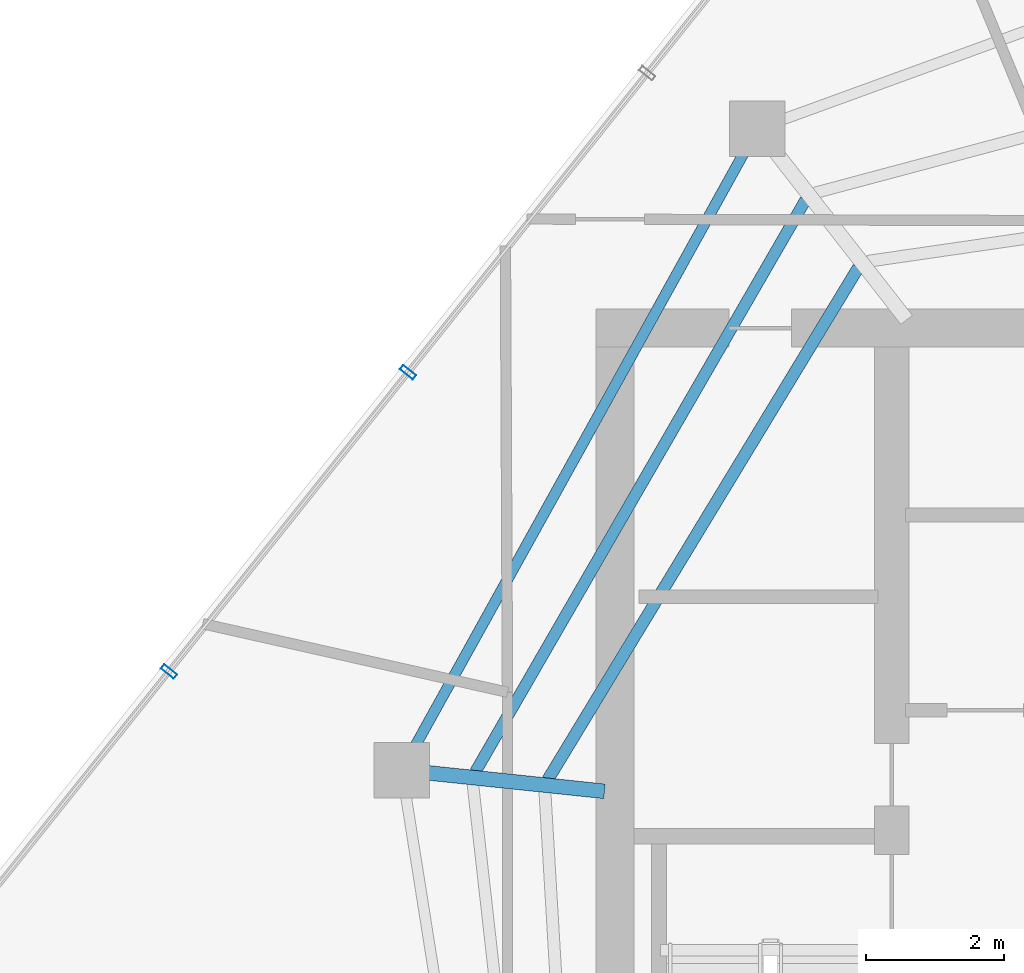
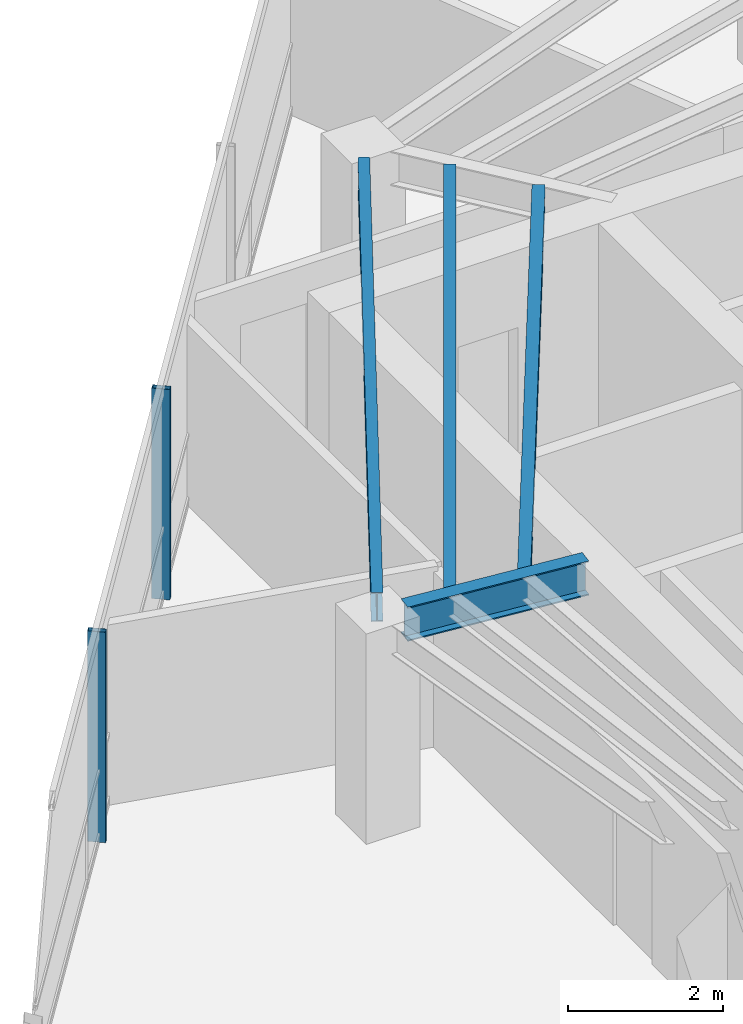
# One storey, part 6 of 19: 4 beams, 2 members, 1 element without a shape of its own.
"""IFC4 building model written with IfcOpenShell, lengths in metres."""

from ifc_helpers import new_model, si_unit, direction, frame, origin, origin_2d, place, context, subcontext, project, spatial, hollow_rectangle, i_section, extrude, material, layer, layer_set, material_profile, profile_set, type_object, element, aggregate, save


model = new_model("IFC4")

# Units and contexts
model_context = context("Model", 3, precision=1e-05, world=origin(), true_north=direction((0.0, 1.0)))
body_context = subcontext(model_context, "Body", "Model", "MODEL_VIEW")
ifc_project = project(units=[si_unit("LENGTHUNIT", "METRE"), si_unit("AREAUNIT", "SQUARE_METRE"), si_unit("VOLUMEUNIT", "CUBIC_METRE"), si_unit("PLANEANGLEUNIT", "RADIAN"), si_unit("MASSUNIT", "GRAM", prefix="KILO")], contexts=[model_context])

# Site, building, storey
site_placement = place(None, origin())
site = spatial("IfcSite", under=ifc_project, at=site_placement, CompositionType="ELEMENT")
building_placement = place(site_placement, origin())
building = spatial("IfcBuilding", under=site, at=building_placement, Name="Qarnah Convention Tower", CompositionType="ELEMENT")
storey_placement = place(building_placement, frame((0.0, 0.0, 260.699951171875)))
storey = spatial("IfcBuildingStorey", under=building, at=storey_placement, Name="L70", CompositionType="ELEMENT", Elevation=260.699951171875)

# Beams
ifc_material_1 = material(Name="Structural steel S355JR", Category="steel")
ifc_material_profile_1 = material_profile(ifc_material_1, i_section(OverallWidth=0.166015625, OverallDepth=0.31201171875, WebThickness=0.007080078125, FlangeThickness=0.010986328125, at=origin_2d()), Name="W310X45")
ifc_profile_set_1 = profile_set([ifc_material_profile_1], Name="Structural steel S355JR")
beam_type_1 = type_object("IfcBeamType", Name="BM-JST-W310", PredefinedType="JOIST", material=ifc_profile_set_1)
beam_1_placement = place(storey_placement, frame((29.554931640625, 36.050048828125, 3.1640625), z_axis=(-0.500030323517, -0.866007895786, 0.0), x_axis=(0.866007895786, -0.500030323517, 0.0)))
element("IfcBeam", 1, at=beam_1_placement, inside=storey, type_object=beam_type_1, Name="L70 joist BM-L70-SJST-04", PredefinedType="JOIST", context=body_context, shape_type="SweptSolid", body=[
    extrude(i_section(OverallWidth=0.166015625, OverallDepth=0.31201171875, WebThickness=0.007080078125, FlangeThickness=0.010986328125, at=origin_2d()), origin(), (0.0, 0.0, 1.0), 9.54150390625),
])
ifc_material_profile_2 = material_profile(ifc_material_1, i_section(OverallWidth=0.172119140625, OverallDepth=0.35595703125, WebThickness=0.007080078125, FlangeThickness=0.011962890625, at=origin_2d()), Name="W360X51")
ifc_profile_set_2 = profile_set([ifc_material_profile_2], Name="Structural steel S355JR")
beam_type_2 = type_object("IfcBeamType", Name="BM-JST-W360", PredefinedType="JOIST", material=ifc_profile_set_2)
beam_2_placement = place(storey_placement, frame((30.31689453125, 35.072998046875, 3.14208984375), z_axis=(-0.518508134219, -0.855072695593, 0.0), x_axis=(0.855072695593, -0.518508134219, 0.0)))
element("IfcBeam", 2, at=beam_2_placement, inside=storey, type_object=beam_type_2, Name="L70 joist BM-L70-IJST-04", PredefinedType="JOIST", context=body_context, shape_type="SweptSolid", body=[
    extrude(i_section(OverallWidth=0.172119140625, OverallDepth=0.35595703125, WebThickness=0.007080078125, FlangeThickness=0.011962890625, at=origin_2d()), origin(), (0.0, 0.0, 1.0), 8.649658203125),
])
ifc_material_profile_3 = material_profile(ifc_material_1, i_section(OverallWidth=0.2119140625, OverallDepth=0.5400390625, WebThickness=0.011962890625, FlangeThickness=0.01904296875, at=origin_2d()), Name="W530X109")
ifc_profile_set_3 = profile_set([ifc_material_profile_3], Name="Structural steel S355JR")
beam_type_3 = type_object("IfcBeamType", Name="BM-RAD-W530A", PredefinedType="BEAM", material=ifc_profile_set_3)
beam_3_placement = place(storey_placement, frame((26.65087890625, 27.509033203125, 3.050048828125), z_axis=(-0.994564280912, 0.104124402207, 0.0), x_axis=(-0.104124402207, -0.994564280912, 0.0)))
element("IfcBeam", 3, at=beam_3_placement, inside=storey, type_object=beam_type_3, Name="L70 beam BM-L70-RAD-05", PredefinedType="BEAM", context=body_context, shape_type="SweptSolid", body=[
    extrude(i_section(OverallWidth=0.2119140625, OverallDepth=0.5400390625, WebThickness=0.011962890625, FlangeThickness=0.01904296875, at=origin_2d()), origin(), (0.0, 0.0, 1.0), 2.562744140625),
])
ifc_material_profile_4 = material_profile(ifc_material_1, i_section(OverallWidth=0.154052734375, OverallDepth=0.4599609375, WebThickness=0.009033203125, FlangeThickness=0.014892578125, at=origin_2d()), Name="W460X68")
ifc_profile_set_4 = profile_set([ifc_material_profile_4], Name="Structural steel S355JR")
beam_type_4 = type_object("IfcBeamType", Name="BM-SPN-W460B", PredefinedType="SPANDREL", material=ifc_profile_set_4)
beam_4_placement = place(storey_placement, frame((28.6689453125, 36.737060546875, 3.090087890625), z_axis=(-0.48479748752, -0.87462643231, 0.0), x_axis=(0.87462643231, -0.48479748752, 0.0)))
element("IfcBeam", 4, at=beam_4_placement, inside=storey, type_object=beam_type_4, Name="L70 spandrel BM-L70-SPN-04", PredefinedType="SPANDREL", context=body_context, shape_type="SweptSolid", body=[
    extrude(i_section(OverallWidth=0.154052734375, OverallDepth=0.4599609375, WebThickness=0.009033203125, FlangeThickness=0.014892578125, at=origin_2d()), origin(), (0.0, 0.0, 1.0), 9.81005859375),
])

# Curtain wall, members
ifc_material_2 = material(Name="Tempered Low-E dark glass", Category="glass")
ifc_layer = layer(ifc_material_2, 0.176025390625)
ifc_layer_set = layer_set([ifc_layer], Name="Tempered Low-E dark glass")
curtain_wall_type = type_object("IfcCurtainWallType", Name="CWS-05", PredefinedType="NOTDEFINED", material=ifc_layer_set)
curtain_wall_placement = place(storey_placement, origin())
curtain_wall = element("IfcCurtainWall", 5, at=curtain_wall_placement, inside=storey, type_object=curtain_wall_type, Name="L70 unitised curtain wall CW-L70-F3", PredefinedType="NOTDEFINED")
ifc_material_3 = material(Name="Black anodised aluminium", Category="aluminium")
ifc_material_profile_5 = material_profile(ifc_material_3, hollow_rectangle(XDim=0.080078125, YDim=0.239990234375, WallThickness=0.0048828125, at=origin_2d()), Name="MUL-80X240")
ifc_profile_set_5 = profile_set([ifc_material_profile_5], Name="Black anodised aluminium")
member_type = type_object("IfcMemberType", Name="MUL-T5", PredefinedType="MULLION", material=ifc_profile_set_5)
member_1_placement = place(storey_placement, frame((20.358642578125, 29.23828125, 0.0), z_axis=(0.0, 0.0, 1.0), x_axis=(0.624417264657, 0.781090954754, 0.0)))
member_1 = element("IfcMember", 6, at=member_1_placement, type_object=member_type, Name="CW-L70-F3 mullion 2", PredefinedType="MULLION", context=body_context, shape_type="SweptSolid", body=[
    extrude(hollow_rectangle(XDim=0.080078125, YDim=0.239990234375, WallThickness=0.0048828125, at=origin_2d()), origin(), (0.0, 0.0, 1.0), 3.320068359375),
])
member_2_placement = place(storey_placement, frame((23.813232421875, 33.559814453125, 0.0), z_axis=(0.0, 0.0, 1.0), x_axis=(0.624417264657, 0.781090954754, 0.0)))
member_2 = element("IfcMember", 7, at=member_2_placement, type_object=member_type, Name="CW-L70-F3 mullion 3", PredefinedType="MULLION", context=body_context, shape_type="SweptSolid", body=[
    extrude(hollow_rectangle(XDim=0.080078125, YDim=0.239990234375, WallThickness=0.0048828125, at=origin_2d()), origin(), (0.0, 0.0, 1.0), 3.320068359375),
])
aggregate(curtain_wall, [member_1, member_2])

save(model, "model.ifc")
